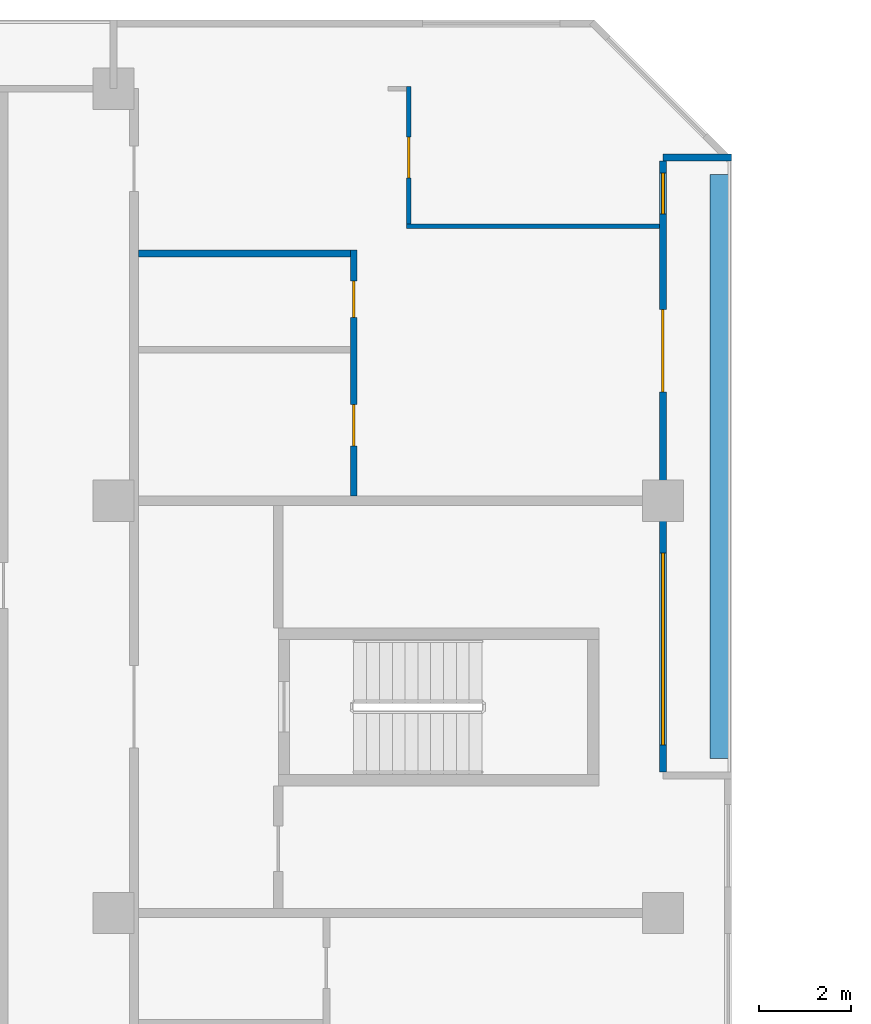
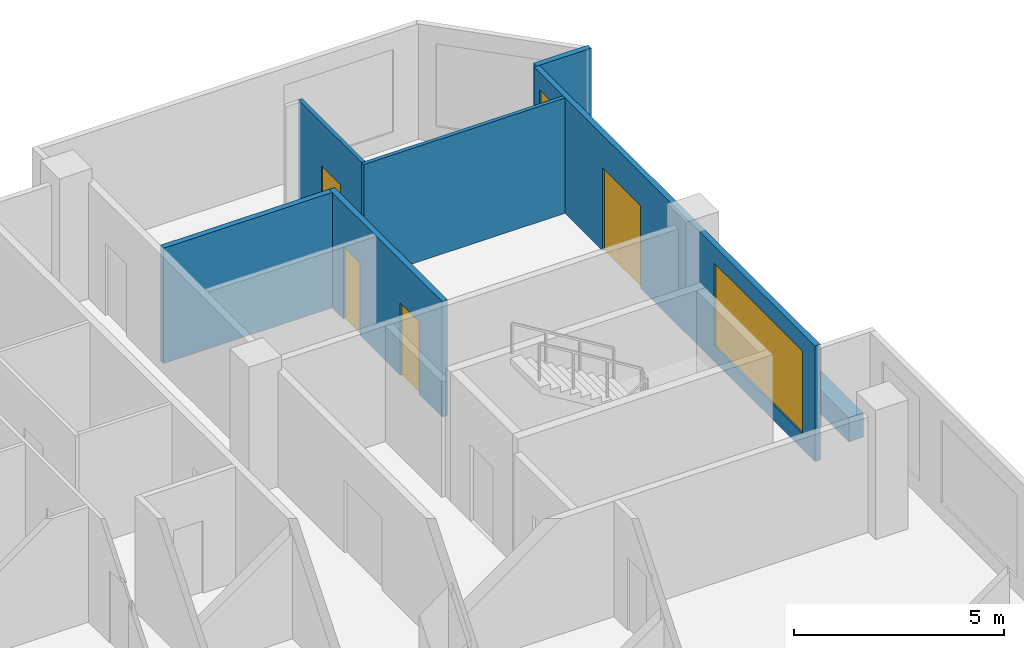
# One storey, part 11 of 15: 7 walls, 4 doors, 2 windows, 6 openings.
"""IFC4 building model written with IfcOpenShell, lengths in metres."""

import ifcopenshell
import ifcopenshell.guid

model = None  # the IFC model being written
_history = None  # IfcOwnerHistory: only IFC2X3 demands one
_inside = {}  # id of a spatial element -> (the spatial element, [elements in it])
_under = {}  # id of a project, library or spatial element -> (it, [spatial elements below it])
_declared = {}  # id of a project -> (the project, [libraries it declares])
_typed = {}  # id of a type object -> (the type object, [elements of that type])
_made_of = {}  # id of a material, layer set ... -> (it, [elements and type objects made of it])


def new_model(schema):
    """Start an empty IFC model of exactly this schema.

    Asked for "IFC4X3", IfcOpenShell would pick the latest addendum, in which some entities
    have other attributes; the version numbers below select the first issue.
    IFC2X3 requires an IfcOwnerHistory on every rooted entity: one is made here for all.
    """
    global model, _history
    if schema == "IFC4X3":
        model = ifcopenshell.file(schema_version=(4, 3, 0, 0))
    else:
        model = ifcopenshell.file(schema=schema)
    _inside.clear()
    _under.clear()
    _declared.clear()
    _typed.clear()
    _made_of.clear()
    _history = None
    if model.schema == "IFC2X3":
        org = make("IfcOrganization", Name="unknown")
        user = make(
            "IfcPersonAndOrganization",
            ThePerson=make("IfcPerson", FamilyName="unknown"),
            TheOrganization=org,
        )
        app = make(
            "IfcApplication",
            ApplicationDeveloper=org,
            Version="unknown",
            ApplicationFullName="unknown",
            ApplicationIdentifier="unknown",
        )
        _history = make(
            "IfcOwnerHistory",
            OwningUser=user,
            OwningApplication=app,
            ChangeAction="ADDED",
            CreationDate=0,
        )
    return model


def make(cls, **values):
    """One entity of the class cls with the attributes given. An attribute that is None is left unset."""
    return model.create_entity(
        cls, **{name: value for name, value in values.items() if value is not None}
    )


def rooted(cls, **values):
    """An entity with a GlobalId (a new one), such as an element, a storey or a relation."""
    return make(cls, GlobalId=ifcopenshell.guid.new(), OwnerHistory=_history, **values)


def si_unit(unit_type, name, prefix=None):
    """IfcSIUnit, for example si_unit("LENGTHUNIT", "METRE", prefix="MILLI")."""
    return make("IfcSIUnit", UnitType=unit_type, Prefix=prefix, Name=name)


def assignment(units):
    """IfcUnitAssignment: the units of a project."""
    return None if units is None else make("IfcUnitAssignment", Units=units)


def point(xyz):
    """IfcCartesianPoint."""
    return None if xyz is None else make("IfcCartesianPoint", Coordinates=xyz)


def direction(xyz):
    """IfcDirection."""
    return None if xyz is None else make("IfcDirection", DirectionRatios=xyz)


def frame(location, z_axis=None, x_axis=None):
    """IfcAxis2Placement3D, a coordinate frame: its origin and axes. An axis left out is left unset."""
    return make(
        "IfcAxis2Placement3D",
        Location=point(location),
        Axis=direction(z_axis),
        RefDirection=direction(x_axis),
    )


def frame_2d(location, x_axis=None):
    """IfcAxis2Placement2D, a coordinate frame in the plane: its origin and x axis."""
    return make(
        "IfcAxis2Placement2D", Location=point(location), RefDirection=direction(x_axis)
    )


def origin():
    """The frame at (0, 0, 0) with its axes left unset."""
    return frame((0.0, 0.0, 0.0))


def place(relative_to, where):
    """IfcLocalPlacement: puts the frame where relative to a parent placement (None: the world)."""
    return make(
        "IfcLocalPlacement", PlacementRelTo=relative_to, RelativePlacement=where
    )


def context(
    kind, dimensions, precision=None, world=None, true_north=None, identifier=None
):
    """IfcGeometricRepresentationContext, for example the 3D "Model" context."""
    return make(
        "IfcGeometricRepresentationContext",
        ContextIdentifier=identifier,
        ContextType=kind,
        CoordinateSpaceDimension=dimensions,
        Precision=precision,
        WorldCoordinateSystem=world,
        TrueNorth=true_north,
    )


def subcontext(parent, identifier, kind, view, scale=None):
    """IfcGeometricRepresentationSubContext, for example "Body" below "Model"."""
    return make(
        "IfcGeometricRepresentationSubContext",
        ContextIdentifier=identifier,
        ContextType=kind,
        ParentContext=parent,
        TargetScale=scale,
        TargetView=view,
    )


def project(units=None, contexts=None):
    """IfcProject with its units and contexts."""
    return rooted(
        "IfcProject",
        Name="project",
        RepresentationContexts=contexts,
        UnitsInContext=assignment(units),
    )


def spatial(cls, under=None, at=None, **own):
    """A site, building, storey or space (cls), placed at a placement, below another one or the project."""
    s = rooted(cls, ObjectPlacement=at, **own)
    if under is not None:
        _under.setdefault(under.id(), (under, []))[1].append(s)
    return s


def profile(cls, at=None, kind="AREA", **sizes):
    """A parametric profile (cls). Its sizes go by their IFC names, for example OverallWidth=200.0."""
    return make(cls, ProfileType=kind, Position=at, **sizes)


def rectangle(**sizes):
    """IfcRectangleProfileDef."""
    return profile("IfcRectangleProfileDef", **sizes)


def extrude(swept, where, along, depth):
    """IfcExtrudedAreaSolid: the profile swept, set in the frame where, extruded along a direction by depth."""
    return make(
        "IfcExtrudedAreaSolid",
        SweptArea=swept,
        Position=where,
        ExtrudedDirection=direction(along),
        Depth=depth,
    )


def shape(context_of_items, identifier, shape_type, items):
    """IfcShapeRepresentation: the items that make up one representation, for example the "Body"."""
    return make(
        "IfcShapeRepresentation",
        ContextOfItems=context_of_items,
        RepresentationIdentifier=identifier,
        RepresentationType=shape_type,
        Items=items,
    )


def material(Name=None, Category=None):
    """IfcMaterial."""
    return make("IfcMaterial", Name=Name, Category=Category)


def layer(
    of_material, thickness, ventilated=None, Name=None, Category=None, Priority=None
):
    """IfcMaterialLayer: one layer of a wall or slab, of a material (None: an air gap)."""
    return make(
        "IfcMaterialLayer",
        Material=of_material,
        LayerThickness=thickness,
        IsVentilated=ventilated,
        Name=Name,
        Category=Category,
        Priority=Priority,
    )


def layer_set(layers, Name=None):
    """IfcMaterialLayerSet."""
    return make("IfcMaterialLayerSet", MaterialLayers=layers, LayerSetName=Name)


def made_of(thing, what):
    """Note that an element or type object is made of a material, layer set ...; save() writes the relation."""
    if what is not None:
        _made_of.setdefault(what.id(), (what, []))[1].append(thing)
    return thing


def type_object(cls, material=None, **own):
    """A type object (cls), such as IfcWallType, which elements share."""
    return made_of(rooted(cls, **own), material)


def element(
    cls,
    number,
    at=None,
    inside=None,
    cuts=None,
    type_object=None,
    material=None,
    context=None,
    identifier="Body",
    shape_type=None,
    held_by="IfcProductDefinitionShape",
    body=None,
    shapes=None,
    **own,
):
    """One element of the class cls, such as IfcWall. Its Tag is "e" and its number.

    at: its placement. inside: the storey or other place that contains it. cuts: it is an
    opening in that element (IfcRelVoidsElement). A single representation is given by context,
    identifier, shape_type and body (its items); several are given by shapes. held_by: the class
    of the entity that holds the representations. save() writes the other relations.
    """
    e = rooted(cls, Tag="e%d" % number, ObjectPlacement=at, **own)
    if body is not None:
        shapes = [shape(context, identifier, shape_type, body)]
    if shapes is not None:
        e.Representation = make(held_by, Representations=shapes)
    if inside is not None:
        _inside.setdefault(inside.id(), (inside, []))[1].append(e)
    if cuts is not None:
        rooted(
            "IfcRelVoidsElement", RelatingBuildingElement=cuts, RelatedOpeningElement=e
        )
    if type_object is not None:
        _typed.setdefault(type_object.id(), (type_object, []))[1].append(e)
    return made_of(e, material)


def fill(opening, filler):
    """IfcRelFillsElement: the door or window that sits in an opening."""
    return rooted(
        "IfcRelFillsElement",
        RelatingOpeningElement=opening,
        RelatedBuildingElement=filler,
    )


def aggregate(whole, parts):
    """IfcRelAggregates: a whole, such as a stair, and the parts it consists of."""
    return rooted("IfcRelAggregates", RelatingObject=whole, RelatedObjects=parts)


def save(model, path):
    """Write the relations noted so far, then the file.

    IfcRelAggregates (storeys below a building ...), IfcRelContainedInSpatialStructure (elements
    in a storey), IfcRelDefinesByType, IfcRelAssociatesMaterial and IfcRelDeclares: one each for
    every whole, place, type object, material and project.
    """
    for whole, parts in _under.values():
        aggregate(whole, parts)
    for where, things in _inside.values():
        rooted(
            "IfcRelContainedInSpatialStructure",
            RelatedElements=things,
            RelatingStructure=where,
        )
    for kind, things in _typed.values():
        rooted("IfcRelDefinesByType", RelatedObjects=things, RelatingType=kind)
    for what, things in _made_of.values():
        rooted("IfcRelAssociatesMaterial", RelatedObjects=things, RelatingMaterial=what)
    for by, libraries in _declared.values():
        rooted("IfcRelDeclares", RelatingContext=by, RelatedDefinitions=libraries)
    model.write(path)


model = new_model("IFC4")

# Units and contexts
model_context = context("Model", 3, precision=1e-05, world=origin(), true_north=direction((0.0, 1.0)))
body_context = subcontext(model_context, "Body", "Model", "MODEL_VIEW")
ifc_project = project(units=[si_unit("LENGTHUNIT", "METRE"), si_unit("AREAUNIT", "SQUARE_METRE"), si_unit("VOLUMEUNIT", "CUBIC_METRE"), si_unit("PLANEANGLEUNIT", "RADIAN"), si_unit("MASSUNIT", "GRAM", prefix="KILO")], contexts=[model_context])

# Site, building, storey
site_placement = place(None, origin())
site = spatial("IfcSite", under=ifc_project, at=site_placement, CompositionType="ELEMENT")
building_placement = place(site_placement, origin())
building = spatial("IfcBuilding", under=site, at=building_placement, Name="Chenar Terraces", CompositionType="ELEMENT")
storey_placement = place(building_placement, frame((0.0, 0.0, 191.14990234375)))
storey = spatial("IfcBuildingStorey", under=building, at=storey_placement, Name="L44", CompositionType="ELEMENT", Elevation=191.14990234375)

# Wall, openings, windows, door
ifc_material_1 = material(Name="Aluminium framed glazing", Category="aluminium")
ifc_layer_1 = layer(ifc_material_1, 0.14990234375)
ifc_layer_set_1 = layer_set([ifc_layer_1], Name="Aluminium framed glazing")
wall_type_1 = type_object("IfcWallType", Name="Glazed loggia back wall 150", PredefinedType="SOLIDWALL", material=ifc_layer_set_1)
wall_1_placement = place(storey_placement, frame((24.0, 48.074951171875, 0.0), z_axis=(0.0, 0.0, 1.0), x_axis=(0.0, 1.0, 0.0)))
wall_1 = element("IfcWall", 1, at=wall_1_placement, inside=storey, type_object=wall_type_1, Name="Glazed loggia back wall", PredefinedType="SOLIDWALL", context=body_context, shape_type="SweptSolid", body=[
    extrude(rectangle(XDim=13.35009765625, YDim=0.14990234375, at=frame_2d((6.675048828125, 0.0))), origin(), (0.0, 0.0, 1.0), 3.35009765625),
])
opening_1_placement = place(wall_1_placement, frame((0.58740234375, 0.0, 0.449951171875)))
opening_1 = element("IfcOpeningElement", 2, at=opening_1_placement, cuts=wall_1, Name="Opening W420x240", PredefinedType="OPENING", context=body_context, shape_type="SweptSolid", body=[
    extrude(rectangle(XDim=4.199951171875, YDim=2.39990234375, at=frame_2d((2.10009765625, 1.199951171875))), frame((0.0, 0.0849609375, 0.0), z_axis=(0.0, -1.0, 0.0), x_axis=(1.0, 0.0, 0.0)), (0.0, 0.0, 1.0), 0.169921875),
])
opening_2_placement = place(wall_1_placement, frame((8.300048828125, 0.0, 0.0)))
opening_2 = element("IfcOpeningElement", 3, at=opening_2_placement, cuts=wall_1, Name="Opening DL44-G2", PredefinedType="OPENING", context=body_context, shape_type="SweptSolid", body=[
    extrude(rectangle(XDim=1.800048828125, YDim=2.39990234375, at=frame_2d((0.89990234375, 1.199951171875))), frame((0.0, 0.0849609375, 0.0), z_axis=(0.0, -1.0, 0.0), x_axis=(1.0, 0.0, 0.0)), (0.0, 0.0, 1.0), 0.169921875),
])
opening_3_placement = place(wall_1_placement, frame((12.1875, 0.0, 0.449951171875)))
opening_3 = element("IfcOpeningElement", 4, at=opening_3_placement, cuts=wall_1, Name="Opening W90x240", PredefinedType="OPENING", context=body_context, shape_type="SweptSolid", body=[
    extrude(rectangle(XDim=0.89990234375, YDim=2.39990234375, at=frame_2d((0.449951171875, 1.199951171875))), frame((0.0, 0.0849609375, 0.0), z_axis=(0.0, -1.0, 0.0), x_axis=(1.0, 0.0, 0.0)), (0.0, 0.0, 1.0), 0.169921875),
])
ifc_material_2 = material(Name="Low emissivity double glazing, aluminium frame", Category="aluminium")
window_type_1 = type_object("IfcWindowType", Name="Fixed light 4200 x 2400", PartitioningType="SINGLE_PANEL", PredefinedType="WINDOW", material=ifc_material_2)
window_1_placement = place(opening_1_placement, origin())
window_1 = element("IfcWindow", 5, at=window_1_placement, inside=storey, type_object=window_type_1, Name="Window", OverallHeight=2.39990234375, OverallWidth=4.199951171875, PartitioningType="SINGLE_PANEL", PredefinedType="WINDOW", context=body_context, shape_type="SweptSolid", body=[
    extrude(rectangle(XDim=4.199951171875, YDim=2.39990234375, at=frame_2d((2.10009765625, 1.199951171875))), frame((0.0, 0.030029296875, 0.0), z_axis=(0.0, -1.0, 0.0), x_axis=(1.0, 0.0, 0.0)), (0.0, 0.0, 1.0), 0.06005859375),
])
fill(opening_1, window_1)
ifc_material_3 = material(Name="Low emissivity double glazing, aluminium frame", Category="aluminium")
window_type_2 = type_object("IfcWindowType", Name="Fixed light 900 x 2400", PartitioningType="SINGLE_PANEL", PredefinedType="WINDOW", material=ifc_material_3)
window_2_placement = place(opening_3_placement, origin())
window_2 = element("IfcWindow", 6, at=window_2_placement, inside=storey, type_object=window_type_2, Name="Window", OverallHeight=2.39990234375, OverallWidth=0.89990234375, PartitioningType="SINGLE_PANEL", PredefinedType="WINDOW", context=body_context, shape_type="SweptSolid", body=[
    extrude(rectangle(XDim=0.89990234375, YDim=2.39990234375, at=frame_2d((0.449951171875, 1.199951171875))), frame((0.0, 0.030029296875, 0.0), z_axis=(0.0, -1.0, 0.0), x_axis=(1.0, 0.0, 0.0)), (0.0, 0.0, 1.0), 0.06005859375),
])
fill(opening_3, window_2)
ifc_material_4 = material(Name="Low emissivity double glazing, aluminium frame", Category="aluminium")
door_type_1 = type_object("IfcDoorType", Name="Loggia glazed double door 1800 x 2400", OperationType="DOUBLE_DOOR_SINGLE_SWING", PredefinedType="DOOR", material=ifc_material_4)
door_1_placement = place(opening_2_placement, frame((1.800048828125, 0.0, 0.0), z_axis=(0.0, 0.0, 1.0), x_axis=(-1.0, 0.0, 0.0)))
door_1 = element("IfcDoor", 7, at=door_1_placement, inside=storey, type_object=door_type_1, Name="Loggia glazed door", OperationType="DOUBLE_DOOR_SINGLE_SWING", OverallHeight=2.39990234375, OverallWidth=1.800048828125, PredefinedType="DOOR", context=body_context, shape_type="SweptSolid", body=[
    extrude(rectangle(XDim=1.800048828125, YDim=2.39990234375, at=frame_2d((0.89990234375, 1.199951171875))), frame((0.0, 0.02490234375, 0.0), z_axis=(0.0, -1.0, 0.0), x_axis=(1.0, 0.0, 0.0)), (0.0, 0.0, 1.0), 0.050048828125),
])
fill(opening_2, door_1)

# Wall
ifc_material_5 = material(Name="Gypsum board on steel studs", Category="steel")
ifc_layer_2 = layer(ifc_material_5, 0.10009765625)
ifc_layer_set_2 = layer_set([ifc_layer_2], Name="Gypsum board on steel studs")
wall_type_2 = type_object("IfcWallType", Name="Gypsum partition 100", PredefinedType="PARTITIONING", material=ifc_layer_set_2)
wall_2_placement = place(storey_placement, frame((18.39990234375, 60.0, 0.0), z_axis=(0.0, 0.0, 1.0), x_axis=(1.0, 0.0, 0.0)))
element("IfcWall", 8, at=wall_2_placement, inside=storey, type_object=wall_type_2, Name="Partition L44-052", PredefinedType="PARTITIONING", context=body_context, shape_type="SweptSolid", body=[
    extrude(rectangle(XDim=5.526123046875, YDim=0.10009765625, at=frame_2d((2.76318359375, 0.0))), origin(), (0.0, 0.0, 1.0), 3.35009765625),
])

# Wall, opening, door
wall_3_placement = place(storey_placement, frame((18.449951171875, 60.050048828125, 0.0), z_axis=(0.0, 0.0, 1.0), x_axis=(0.0, 1.0, 0.0)))
wall_3 = element("IfcWall", 9, at=wall_3_placement, inside=storey, type_object=wall_type_2, Name="Partition L44-053", PredefinedType="PARTITIONING", context=body_context, shape_type="SweptSolid", body=[
    extrude(rectangle(XDim=3.0, YDim=0.10009765625, at=frame_2d((1.5, 0.0))), origin(), (0.0, 0.0, 1.0), 3.35009765625),
])
opening_4_placement = place(wall_3_placement, frame((1.0, 0.0, 0.0)))
opening_4 = element("IfcOpeningElement", 10, at=opening_4_placement, cuts=wall_3, Name="Opening DL44-20", PredefinedType="OPENING", context=body_context, shape_type="SweptSolid", body=[
    extrude(rectangle(XDim=0.89990234375, YDim=2.10009765625, at=frame_2d((0.449951171875, 1.050048828125))), frame((0.0, 0.06005859375, 0.0), z_axis=(0.0, -1.0, 0.0), x_axis=(1.0, 0.0, 0.0)), (0.0, 0.0, 1.0), 0.1201171875),
])
ifc_material_6 = material(Name="Veneered timber door leaf", Category="wood")
door_type_2 = type_object("IfcDoorType", Name="Door 900 x 2100", OperationType="SINGLE_SWING_LEFT", PredefinedType="DOOR", material=ifc_material_6)
door_2_placement = place(opening_4_placement, frame((0.89990234375, 0.0, 0.0), z_axis=(0.0, 0.0, 1.0), x_axis=(-1.0, 0.0, 0.0)))
door_2 = element("IfcDoor", 11, at=door_2_placement, inside=storey, type_object=door_type_2, Name="Door DL44-20", OperationType="SINGLE_SWING_RIGHT", OverallHeight=2.10009765625, OverallWidth=0.89990234375, PredefinedType="DOOR", context=body_context, shape_type="SweptSolid", body=[
    extrude(rectangle(XDim=0.89990234375, YDim=2.10009765625, at=frame_2d((0.449951171875, 1.050048828125))), frame((0.0, 0.02490234375, 0.0), z_axis=(0.0, -1.0, 0.0), x_axis=(1.0, 0.0, 0.0)), (0.0, 0.0, 1.0), 0.050048828125),
])
fill(opening_4, door_2)

# Walls
ifc_material_7 = material(Name="Terracotta cladding on insulated backing", Category="masonry")
ifc_layer_3 = layer(ifc_material_7, 0.14990234375)
ifc_layer_set_3 = layer_set([ifc_layer_3], Name="Terracotta cladding on insulated backing")
wall_type_3 = type_object("IfcWallType", Name="Loggia return wall 150", PredefinedType="SOLIDWALL", material=ifc_layer_set_3)
wall_4_placement = place(storey_placement, frame((25.5, 61.5, 0.0), z_axis=(0.0, 0.0, 1.0), x_axis=(-1.0, 0.0, 0.0)))
element("IfcWall", 12, at=wall_4_placement, inside=storey, type_object=wall_type_3, Name="Loggia return wall", PredefinedType="SOLIDWALL", context=body_context, shape_type="SweptSolid", body=[
    extrude(rectangle(XDim=1.5, YDim=0.14990234375, at=frame_2d((0.75, 0.0))), origin(), (0.0, 0.0, 1.0), 3.35009765625),
])
ifc_material_8 = material(Name="GRP planter trough")
ifc_layer_4 = layer(ifc_material_8, 0.39990234375)
ifc_layer_set_4 = layer_set([ifc_layer_4], Name="GRP planter trough")
wall_type_4 = type_object("IfcWallType", Name="Vertical greenery planter 400", PredefinedType="SOLIDWALL", material=ifc_layer_set_4)
wall_5_placement = place(storey_placement, frame((25.22900390625, 48.375, 0.0), z_axis=(0.0, 0.0, 1.0), x_axis=(0.0, 1.0, 0.0)))
element("IfcWall", 13, at=wall_5_placement, inside=storey, type_object=wall_type_4, Name="Vertical greenery planter", PredefinedType="SOLIDWALL", context=body_context, shape_type="SweptSolid", body=[
    extrude(rectangle(XDim=12.75, YDim=0.39990234375, at=frame_2d((6.375, 0.0))), origin(), (0.0, 0.0, 1.0), 0.7001953125),
])
ifc_material_9 = material(Name="Moisture-resistant gypsum board on steel studs", Category="steel")
ifc_layer_5 = layer(ifc_material_9, 0.14990234375)
ifc_layer_set_5 = layer_set([ifc_layer_5], Name="Moisture-resistant gypsum board on steel studs")
wall_type_5 = type_object("IfcWallType", Name="Wet-room partition 150", PredefinedType="PARTITIONING", material=ifc_layer_set_5)
wall_6_placement = place(storey_placement, frame((12.550048828125, 59.39990234375, 0.0), z_axis=(0.0, 0.0, 1.0), x_axis=(1.0, 0.0, 0.0)))
element("IfcWall", 14, at=wall_6_placement, inside=storey, type_object=wall_type_5, Name="Partition L44-042", PredefinedType="PARTITIONING", context=body_context, shape_type="SweptSolid", body=[
    extrude(rectangle(XDim=4.625, YDim=0.14990234375, at=frame_2d((2.3125, 0.0))), origin(), (0.0, 0.0, 1.0), 3.35009765625),
])

# Wall, openings, doors
wall_7_placement = place(storey_placement, frame((17.25, 54.10009765625, 0.0), z_axis=(0.0, 0.0, 1.0), x_axis=(0.0, 1.0, 0.0)))
wall_7 = element("IfcWall", 15, at=wall_7_placement, inside=storey, type_object=wall_type_5, Name="Partition L44-047", PredefinedType="PARTITIONING", context=body_context, shape_type="SweptSolid", body=[
    extrude(rectangle(XDim=5.375, YDim=0.14990234375, at=frame_2d((2.6875, 0.0))), origin(), (0.0, 0.0, 1.0), 3.35009765625),
])
opening_5_placement = place(wall_7_placement, frame((3.89990234375, 0.0, 0.0)))
opening_5 = element("IfcOpeningElement", 16, at=opening_5_placement, cuts=wall_7, Name="Opening DL44-19", PredefinedType="OPENING", context=body_context, shape_type="SweptSolid", body=[
    extrude(rectangle(XDim=0.800048828125, YDim=2.10009765625, at=frame_2d((0.39990234375, 1.050048828125))), frame((0.0, 0.0849609375, 0.0), z_axis=(0.0, -1.0, 0.0), x_axis=(1.0, 0.0, 0.0)), (0.0, 0.0, 1.0), 0.169921875),
])
opening_6_placement = place(wall_7_placement, frame((1.10009765625, 0.0, 0.0)))
opening_6 = element("IfcOpeningElement", 17, at=opening_6_placement, cuts=wall_7, Name="Opening DL44-21", PredefinedType="OPENING", context=body_context, shape_type="SweptSolid", body=[
    extrude(rectangle(XDim=0.89990234375, YDim=2.10009765625, at=frame_2d((0.449951171875, 1.050048828125))), frame((0.0, 0.0849609375, 0.0), z_axis=(0.0, -1.0, 0.0), x_axis=(1.0, 0.0, 0.0)), (0.0, 0.0, 1.0), 0.169921875),
])
ifc_material_10 = material(Name="Veneered timber door leaf", Category="wood")
door_type_3 = type_object("IfcDoorType", Name="Door 800 x 2100", OperationType="SINGLE_SWING_LEFT", PredefinedType="DOOR", material=ifc_material_10)
door_3_placement = place(opening_5_placement, origin())
door_3 = element("IfcDoor", 18, at=door_3_placement, inside=storey, type_object=door_type_3, Name="Door DL44-19", OperationType="SINGLE_SWING_RIGHT", OverallHeight=2.10009765625, OverallWidth=0.800048828125, PredefinedType="DOOR", context=body_context, shape_type="SweptSolid", body=[
    extrude(rectangle(XDim=0.800048828125, YDim=2.10009765625, at=frame_2d((0.39990234375, 1.050048828125))), frame((0.0, 0.02490234375, 0.0), z_axis=(0.0, -1.0, 0.0), x_axis=(1.0, 0.0, 0.0)), (0.0, 0.0, 1.0), 0.050048828125),
])
fill(opening_5, door_3)
door_4_placement = place(opening_6_placement, origin())
door_4 = element("IfcDoor", 19, at=door_4_placement, inside=storey, type_object=door_type_2, Name="Door DL44-21", OperationType="SINGLE_SWING_LEFT", OverallHeight=2.10009765625, OverallWidth=0.89990234375, PredefinedType="DOOR", context=body_context, shape_type="SweptSolid", body=[
    extrude(rectangle(XDim=0.89990234375, YDim=2.10009765625, at=frame_2d((0.449951171875, 1.050048828125))), frame((0.0, 0.02490234375, 0.0), z_axis=(0.0, -1.0, 0.0), x_axis=(1.0, 0.0, 0.0)), (0.0, 0.0, 1.0), 0.050048828125),
])
fill(opening_6, door_4)

save(model, "model.ifc")
